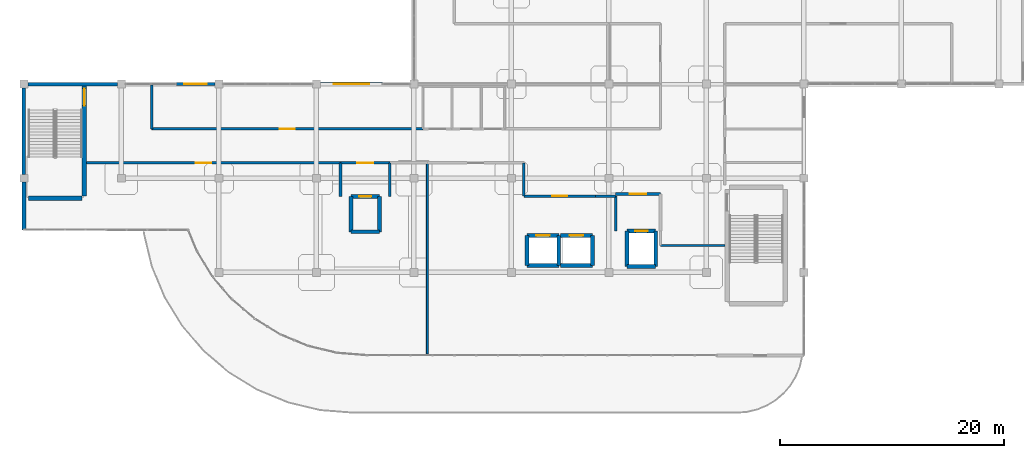
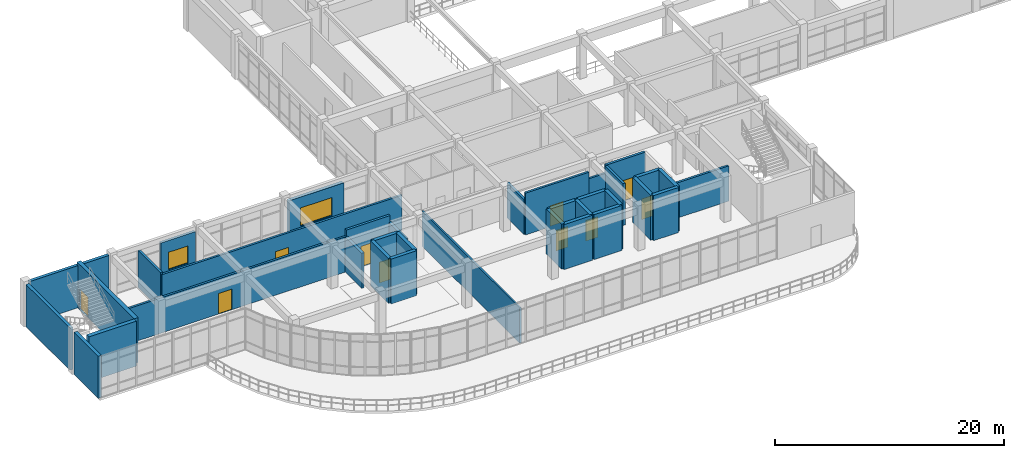
# One storey, part 54 of 64: 35 walls, 10 doors, 2 windows, 12 openings.
"""IFC4 building model written with IfcOpenShell, lengths in metres."""

from ifc_helpers import new_model, si_unit, derived_unit, direction, frame, frame_2d, origin, place, context, subcontext, project, spatial, rectangle, extrude, material, layer, layer_set, type_object, element, fill, save


model = new_model("IFC4")

# Units and contexts
model_context = context("Model", 3, precision=1e-05, world=origin(), true_north=direction((0.0, 1.0)))
body_context = subcontext(model_context, "Body", "Model", "MODEL_VIEW")
ifc_project = project(units=[si_unit("LENGTHUNIT", "METRE"), si_unit("AREAUNIT", "SQUARE_METRE"), si_unit("VOLUMEUNIT", "CUBIC_METRE"), si_unit("PLANEANGLEUNIT", "RADIAN"), si_unit("MASSUNIT", "GRAM", prefix="KILO"), derived_unit("THERMALTRANSMITTANCEUNIT", [(si_unit("MASSUNIT", "GRAM", prefix="KILO"), 1), (si_unit("TIMEUNIT", "SECOND"), -3), (si_unit("THERMODYNAMICTEMPERATUREUNIT", "KELVIN"), -1)])], contexts=[model_context])

# Site, building, storey
site_placement = place(None, origin())
site = spatial("IfcSite", under=ifc_project, at=site_placement, CompositionType="ELEMENT")
building_placement = place(site_placement, origin())
building = spatial("IfcBuilding", under=site, at=building_placement, Name="Qinzheling Arcade Emporium", CompositionType="ELEMENT")
storey_placement = place(building_placement, frame((0.0, 0.0, 31.5)))
storey = spatial("IfcBuildingStorey", under=building, at=storey_placement, Name="L07", CompositionType="ELEMENT", Elevation=31.5)

# Wall, opening, door
ifc_material_1 = material(Name="Double-stud acoustic gypsum board partition")
ifc_layer_1 = layer(ifc_material_1, 0.215087890625, Name="Double-stud acoustic gypsum board partition")
ifc_layer_set_1 = layer_set([ifc_layer_1], Name="Double-stud acoustic gypsum board partition")
wall_type_1 = type_object("IfcWallType", Name="Acoustic Corridor Partition Wall 215", PredefinedType="PARTITIONING", material=ifc_layer_set_1)
wall_1_placement = place(storey_placement, frame((44.60009765625, 32.0, 0.0), z_axis=(0.0, 0.0, 1.0), x_axis=(1.0, 0.0, 0.0)))
wall_1 = element("IfcWall", 1, at=wall_1_placement, inside=storey, type_object=wall_type_1, Name="Interior Wall WL-L07-INT-0888", PredefinedType="PARTITIONING", context=body_context, shape_type="SweptSolid", body=[
    extrude(rectangle(XDim=6.39990234375, YDim=0.215087890625, at=frame_2d((3.199951171875, 0.0))), origin(), (0.0, 0.0, 1.0), 4.4599609375),
])
opening_1_placement = place(wall_1_placement, frame((2.52490234375, 0.0, 0.0)))
opening_1 = element("IfcOpeningElement", 2, at=opening_1_placement, cuts=wall_1, Name="Opening FD05", PredefinedType="OPENING", context=body_context, shape_type="SweptSolid", body=[
    extrude(rectangle(XDim=1.35009765625, YDim=2.199951171875, at=frame_2d((0.675048828125, 1.10009765625))), frame((0.0, 0.11767578125, 0.0), z_axis=(0.0, -1.0, 0.0), x_axis=(1.0, 0.0, 0.0)), (0.0, 0.0, 1.0), 0.235107421875),
])
ifc_material_2 = material(Name="Class B fire-rated stainless-clad door")
door_type_1 = type_object("IfcDoorType", Name="Kitchen Fire-Rated Service Door 1350x2200", OperationType="NOTDEFINED", PredefinedType="DOOR", material=ifc_material_2)
door_1_placement = place(opening_1_placement, origin())
door_1 = element("IfcDoor", 3, at=door_1_placement, inside=storey, type_object=door_type_1, Name="FD05 Interior Door DR-L07-INT-0258", OperationType="SINGLE_SWING_LEFT", OverallHeight=2.199951171875, OverallWidth=1.35009765625, PredefinedType="DOOR", context=body_context, shape_type="SweptSolid", body=[
    extrude(rectangle(XDim=1.35009765625, YDim=2.199951171875, at=frame_2d((0.675048828125, 1.10009765625))), frame((0.0, 0.02490234375, 0.0), z_axis=(0.0, -1.0, 0.0), x_axis=(1.0, 0.0, 0.0)), (0.0, 0.0, 1.0), 0.050048828125),
])
fill(opening_1, door_1)

# Wall
wall_2_placement = place(storey_placement, frame((11.39990234375, 41.89990234375, 0.0), z_axis=(0.0, 0.0, 1.0), x_axis=(0.0, -1.0, 0.0)))
element("IfcWall", 4, at=wall_2_placement, inside=storey, type_object=wall_type_1, Name="Interior Wall WL-L07-INT-0919", PredefinedType="PARTITIONING", context=body_context, shape_type="SweptSolid", body=[
    extrude(rectangle(XDim=3.89990234375, YDim=0.215087890625, at=frame_2d((1.949951171875, 0.0))), origin(), (0.0, 0.0, 1.0), 3.9599609375),
])

# Wall, opening, door
wall_3_placement = place(storey_placement, frame((11.39990234375, 38.0, 0.0), z_axis=(0.0, 0.0, 1.0), x_axis=(1.0, 0.0, 0.0)))
wall_3 = element("IfcWall", 5, at=wall_3_placement, inside=storey, type_object=wall_type_1, Name="Interior Wall WL-L07-INT-0920", PredefinedType="PARTITIONING", context=body_context, shape_type="SweptSolid", body=[
    extrude(rectangle(XDim=24.2001953125, YDim=0.215087890625, at=frame_2d((12.10009765625, 0.0))), origin(), (0.0, 0.0, 1.0), 3.760009765625),
])
opening_2_placement = place(wall_3_placement, frame((11.425048828125, 0.0, 0.0)))
opening_2 = element("IfcOpeningElement", 6, at=opening_2_placement, cuts=wall_3, Name="Opening FD05", PredefinedType="OPENING", context=body_context, shape_type="SweptSolid", body=[
    extrude(rectangle(XDim=1.35009765625, YDim=2.199951171875, at=frame_2d((0.675048828125, 1.10009765625))), frame((0.0, 0.11767578125, 0.0), z_axis=(0.0, -1.0, 0.0), x_axis=(1.0, 0.0, 0.0)), (0.0, 0.0, 1.0), 0.235107421875),
])
door_2_placement = place(opening_2_placement, origin())
door_2 = element("IfcDoor", 7, at=door_2_placement, inside=storey, type_object=door_type_1, Name="FD05 Interior Door DR-L07-INT-0267", OperationType="SINGLE_SWING_RIGHT", OverallHeight=2.199951171875, OverallWidth=1.35009765625, PredefinedType="DOOR", context=body_context, shape_type="SweptSolid", body=[
    extrude(rectangle(XDim=1.35009765625, YDim=2.199951171875, at=frame_2d((0.675048828125, 1.10009765625))), frame((0.0, 0.02490234375, 0.0), z_axis=(0.0, -1.0, 0.0), x_axis=(1.0, 0.0, 0.0)), (0.0, 0.0, 1.0), 0.050048828125),
])
fill(opening_2, door_2)

wall_4_placement = place(storey_placement, frame((28.25, 34.97998046875, 0.0), z_axis=(0.0, 0.0, 1.0), x_axis=(-1.0, 0.0, 0.0)))
wall_4 = element("IfcWall", 8, at=wall_4_placement, inside=storey, type_object=wall_type_1, Name="Interior Wall WL-L07-INT-0923", PredefinedType="PARTITIONING", context=body_context, shape_type="SweptSolid", body=[
    extrude(rectangle(XDim=22.655029296875, YDim=0.215087890625, at=frame_2d((11.32763671875, 0.0))), origin(), (0.0, 0.0, 1.0), 3.760009765625),
])
opening_3_placement = place(wall_4_placement, frame((11.552978515625, 0.0, 0.0)))
opening_3 = element("IfcOpeningElement", 9, at=opening_3_placement, cuts=wall_4, Name="Opening FD05", PredefinedType="OPENING", context=body_context, shape_type="SweptSolid", body=[
    extrude(rectangle(XDim=1.35009765625, YDim=2.199951171875, at=frame_2d((0.675048828125, 1.10009765625))), frame((0.0, 0.11767578125, 0.0), z_axis=(0.0, -1.0, 0.0), x_axis=(1.0, 0.0, 0.0)), (0.0, 0.0, 1.0), 0.235107421875),
])
door_3_placement = place(opening_3_placement, origin())
door_3 = element("IfcDoor", 10, at=door_3_placement, inside=storey, type_object=door_type_1, Name="FD05 Interior Door DR-L07-INT-0268", OperationType="SINGLE_SWING_LEFT", OverallHeight=2.199951171875, OverallWidth=1.35009765625, PredefinedType="DOOR", context=body_context, shape_type="SweptSolid", body=[
    extrude(rectangle(XDim=1.35009765625, YDim=2.199951171875, at=frame_2d((0.675048828125, 1.10009765625))), frame((0.0, 0.02490234375, 0.0), z_axis=(0.0, -1.0, 0.0), x_axis=(1.0, 0.0, 0.0)), (0.0, 0.0, 1.0), 0.050048828125),
])
fill(opening_3, door_3)

# Walls
wall_5_placement = place(storey_placement, frame((44.60009765625, 32.0, 0.0), z_axis=(0.0, 0.0, 1.0), x_axis=(0.0, 1.0, 0.0)))
element("IfcWall", 11, at=wall_5_placement, inside=storey, type_object=wall_type_1, Name="Interior Wall WL-L07-INT-0925", PredefinedType="PARTITIONING", context=body_context, shape_type="SweptSolid", body=[
    extrude(rectangle(XDim=2.97998046875, YDim=0.215087890625, at=frame_2d((1.489990234375, 0.0))), origin(), (0.0, 0.0, 1.0), 3.760009765625),
])
wall_6_placement = place(storey_placement, frame((52.800048828125, 32.0, 0.0), z_axis=(0.0, 0.0, 1.0), x_axis=(-1.0, 0.0, 0.0)))
element("IfcWall", 12, at=wall_6_placement, inside=storey, type_object=wall_type_1, Name="Interior Wall WL-L07-INT-0927", PredefinedType="PARTITIONING", context=body_context, shape_type="SweptSolid", body=[
    extrude(rectangle(XDim=1.800048828125, YDim=0.215087890625, at=frame_2d((0.89990234375, 0.0))), origin(), (0.0, 0.0, 1.0), 3.760009765625),
])
wall_7_placement = place(storey_placement, frame((62.544921875, 27.60009765625, 0.0), z_axis=(0.0, 0.0, 1.0), x_axis=(-1.0, 0.0, 0.0)))
element("IfcWall", 13, at=wall_7_placement, inside=storey, type_object=wall_type_1, Name="Interior Wall WL-L07-INT-0928", PredefinedType="PARTITIONING", context=body_context, shape_type="SweptSolid", body=[
    extrude(rectangle(XDim=5.744873046875, YDim=0.215087890625, at=frame_2d((2.87255859375, 0.0))), origin(), (0.0, 0.0, 1.0), 3.760009765625),
])

# Wall, opening, window
ifc_material_3 = material(Name="Insulated aluminium-clad spandrel wall", Category="aluminium")
ifc_layer_2 = layer(ifc_material_3, 0.260009765625, Name="Insulated aluminium-clad spandrel wall", Category="aluminium")
ifc_layer_set_2 = layer_set([ifc_layer_2], Name="Insulated aluminium-clad spandrel wall")
wall_type_2 = type_object("IfcWallType", Name="Arcade Clerestory Spandrel Wall 260", PredefinedType="STANDARD", material=ifc_layer_set_2)
wall_8_placement = place(storey_placement, frame((13.60009765625, 42.0, 0.0), z_axis=(0.0, 0.0, 1.0), x_axis=(1.0, 0.0, 0.0)))
wall_8 = element("IfcWall", 14, at=wall_8_placement, inside=storey, type_object=wall_type_2, Name="Exterior Wall WL-L07-EW-0333", PredefinedType="STANDARD", context=body_context, shape_type="SweptSolid", body=[
    extrude(rectangle(XDim=3.447998046875, YDim=0.260009765625, at=frame_2d((1.72412109375, 0.0))), origin(), (0.0, 0.0, 1.0), 3.955078125),
])
opening_4_placement = place(wall_8_placement, frame((0.72412109375, 0.0, 0.85009765625)))
opening_4 = element("IfcOpeningElement", 15, at=opening_4_placement, cuts=wall_8, Name="Opening WN60", PredefinedType="OPENING", context=body_context, shape_type="SweptSolid", body=[
    extrude(rectangle(XDim=2.0, YDim=1.85009765625, at=frame_2d((1.0, 0.925048828125))), frame((0.0, 0.14013671875, 0.0), z_axis=(0.0, -1.0, 0.0), x_axis=(1.0, 0.0, 0.0)), (0.0, 0.0, 1.0), 0.280029296875),
])
ifc_material_4 = material(Name="Thermally broken aluminium frame with solar-control double glazing", Category="aluminium")
window_type_1 = type_object("IfcWindowType", Name="Chicago Tripartite Window 2000x1850", PartitioningType="TRIPLE_PANEL_VERTICAL", PredefinedType="WINDOW", material=ifc_material_4)
window_1_placement = place(opening_4_placement, origin())
window_1 = element("IfcWindow", 16, at=window_1_placement, inside=storey, type_object=window_type_1, Name="WN60 Window WN-L07-0081", OverallHeight=1.85009765625, OverallWidth=2.0, PartitioningType="TRIPLE_PANEL_VERTICAL", PredefinedType="WINDOW", context=body_context, shape_type="SweptSolid", body=[
    extrude(rectangle(XDim=2.0, YDim=1.85009765625, at=frame_2d((1.0, 0.925048828125))), frame((0.0, 0.030029296875, 0.0), z_axis=(0.0, -1.0, 0.0), x_axis=(1.0, 0.0, 0.0)), (0.0, 0.0, 1.0), 0.06005859375),
])
fill(opening_4, window_1)

# Wall
ifc_material_5 = material(Name="Celadon glazed terracotta insulated spandrel", Category="masonry")
ifc_layer_3 = layer(ifc_material_5, 0.340087890625, Name="Celadon glazed terracotta insulated spandrel", Category="masonry")
ifc_layer_set_3 = layer_set([ifc_layer_3], Name="Celadon glazed terracotta insulated spandrel")
wall_type_3 = type_object("IfcWallType", Name="Celadon Spandrel Infill Wall 340", PredefinedType="STANDARD", material=ifc_layer_set_3)
wall_9_placement = place(storey_placement, frame((0.0, 29.0, 0.0), z_axis=(0.0, 0.0, 1.0), x_axis=(0.0, 1.0, 0.0)))
element("IfcWall", 17, at=wall_9_placement, inside=storey, type_object=wall_type_3, Name="Exterior Wall WL-L07-EW-0330", PredefinedType="STANDARD", context=body_context, shape_type="SweptSolid", body=[
    extrude(rectangle(XDim=4.248046875, YDim=0.340087890625, at=frame_2d((2.1240234375, 0.0))), origin(), (0.0, 0.0, 1.0), 4.489990234375),
])

# Wall, opening, window
wall_10_placement = place(storey_placement, frame((26.451904296875, 42.0, 0.0), z_axis=(0.0, 0.0, 1.0), x_axis=(1.0, 0.0, 0.0)))
wall_10 = element("IfcWall", 18, at=wall_10_placement, inside=storey, type_object=wall_type_3, Name="Exterior Wall WL-L07-EW-0334", PredefinedType="STANDARD", context=body_context, shape_type="SweptSolid", body=[
    extrude(rectangle(XDim=5.548095703125, YDim=0.340087890625, at=frame_2d((2.77392578125, 0.0))), origin(), (0.0, 0.0, 1.0), 3.955078125),
])
opening_5_placement = place(wall_10_placement, frame((1.174072265625, 0.0, 0.85009765625)))
opening_5 = element("IfcOpeningElement", 19, at=opening_5_placement, cuts=wall_10, Name="Opening WN37", PredefinedType="OPENING", context=body_context, shape_type="SweptSolid", body=[
    extrude(rectangle(XDim=3.199951171875, YDim=1.949951171875, at=frame_2d((1.60009765625, 0.97509765625))), frame((0.0, 0.18017578125, 0.0), z_axis=(0.0, -1.0, 0.0), x_axis=(1.0, 0.0, 0.0)), (0.0, 0.0, 1.0), 0.360107421875),
])
window_type_2 = type_object("IfcWindowType", Name="Chicago Tripartite Window 3200x1950", PartitioningType="TRIPLE_PANEL_VERTICAL", PredefinedType="WINDOW", material=ifc_material_4)
window_2_placement = place(opening_5_placement, origin())
window_2 = element("IfcWindow", 20, at=window_2_placement, inside=storey, type_object=window_type_2, Name="WN37 Window WN-L07-0082", OverallHeight=1.949951171875, OverallWidth=3.199951171875, PartitioningType="TRIPLE_PANEL_VERTICAL", PredefinedType="WINDOW", context=body_context, shape_type="SweptSolid", body=[
    extrude(rectangle(XDim=3.199951171875, YDim=1.949951171875, at=frame_2d((1.60009765625, 0.97509765625))), frame((0.0, 0.030029296875, 0.0), z_axis=(0.0, -1.0, 0.0), x_axis=(1.0, 0.0, 0.0)), (0.0, 0.0, 1.0), 0.06005859375),
])
fill(opening_5, window_2)

# Wall
ifc_material_6 = material(Name="Glazed cream terracotta insulated wall", Category="masonry")
ifc_layer_4 = layer(ifc_material_6, 0.320068359375, Name="Glazed cream terracotta insulated wall", Category="masonry")
ifc_layer_set_4 = layer_set([ifc_layer_4], Name="Glazed cream terracotta insulated wall")
wall_type_4 = type_object("IfcWallType", Name="Chicago Frame Infill Wall 320", PredefinedType="STANDARD", material=ifc_layer_set_4)
wall_11_placement = place(storey_placement, frame((0.0, 33.951904296875, 0.0), z_axis=(0.0, 0.0, 1.0), x_axis=(0.0, 1.0, 0.0)))
element("IfcWall", 21, at=wall_11_placement, inside=storey, type_object=wall_type_4, Name="Exterior Wall WL-L07-EW-0331", PredefinedType="STANDARD", context=body_context, shape_type="SweptSolid", body=[
    extrude(rectangle(XDim=7.696044921875, YDim=0.320068359375, at=frame_2d((3.84814453125, 0.0))), origin(), (0.0, 0.0, 1.0), 4.489990234375),
])

# Wall, opening, door
ifc_material_7 = material(Name="Fire-rated double-stud gypsum and mineral wool wall")
ifc_layer_5 = layer(ifc_material_7, 0.2451171875, Name="Fire-rated double-stud gypsum and mineral wool wall")
ifc_layer_set_5 = layer_set([ifc_layer_5], Name="Fire-rated double-stud gypsum and mineral wool wall")
wall_type_5 = type_object("IfcWallType", Name="Firefighting Lobby Rated Wall 245", PredefinedType="STANDARD", material=ifc_layer_set_5)
wall_12_placement = place(storey_placement, frame((52.800048828125, 32.199951171875, 0.0), z_axis=(0.0, 0.0, 1.0), x_axis=(1.0, 0.0, 0.0)))
wall_12 = element("IfcWall", 22, at=wall_12_placement, inside=storey, type_object=wall_type_5, Name="Interior Wall WL-L07-INT-0879", PredefinedType="STANDARD", context=body_context, shape_type="SweptSolid", body=[
    extrude(rectangle(XDim=4.0, YDim=0.2451171875, at=frame_2d((2.0, 0.0))), origin(), (0.0, 0.0, 1.0), 4.4599609375),
])
opening_6_placement = place(wall_12_placement, frame((1.27490234375, 0.0, 0.0)))
opening_6 = element("IfcOpeningElement", 23, at=opening_6_placement, cuts=wall_12, Name="Opening FD02", PredefinedType="OPENING", context=body_context, shape_type="SweptSolid", body=[
    extrude(rectangle(XDim=1.449951171875, YDim=2.199951171875, at=frame_2d((0.72509765625, 1.10009765625))), frame((0.0, 0.132568359375, 0.0), z_axis=(0.0, -1.0, 0.0), x_axis=(1.0, 0.0, 0.0)), (0.0, 0.0, 1.0), 0.26513671875),
])
ifc_material_8 = material(Name="Class A fire-rated steel double door", Category="steel")
door_type_2 = type_object("IfcDoorType", Name="Firefighting Lobby Fire Door 1450x2200", OperationType="DOUBLE_DOOR_SINGLE_SWING", PredefinedType="DOOR", material=ifc_material_8)
door_4_placement = place(opening_6_placement, origin())
door_4 = element("IfcDoor", 24, at=door_4_placement, inside=storey, type_object=door_type_2, Name="FD02 Interior Door DR-L07-INT-0255", OperationType="DOUBLE_DOOR_SINGLE_SWING", OverallHeight=2.199951171875, OverallWidth=1.449951171875, PredefinedType="DOOR", context=body_context, shape_type="SweptSolid", body=[
    extrude(rectangle(XDim=1.449951171875, YDim=2.199951171875, at=frame_2d((0.72509765625, 1.10009765625))), frame((0.0, 0.02490234375, 0.0), z_axis=(0.0, -1.0, 0.0), x_axis=(1.0, 0.0, 0.0)), (0.0, 0.0, 1.0), 0.050048828125),
])
fill(opening_6, door_4)

# Wall
wall_13_placement = place(storey_placement, frame((52.800048828125, 28.8798828125, 0.0), z_axis=(0.0, 0.0, 1.0), x_axis=(0.0, 1.0, 0.0)))
element("IfcWall", 25, at=wall_13_placement, inside=storey, type_object=wall_type_5, Name="Interior Wall WL-L07-INT-0881", PredefinedType="STANDARD", context=body_context, shape_type="SweptSolid", body=[
    extrude(rectangle(XDim=3.1201171875, YDim=0.2451171875, at=frame_2d((1.56005859375, 0.0))), origin(), (0.0, 0.0, 1.0), 4.4599609375),
])

# Wall, opening, door
wall_14_placement = place(storey_placement, frame((28.25, 34.97998046875, 0.0), z_axis=(0.0, 0.0, 1.0), x_axis=(1.0, 0.0, 0.0)))
wall_14 = element("IfcWall", 26, at=wall_14_placement, inside=storey, type_object=wall_type_5, Name="Interior Wall WL-L07-INT-0882", PredefinedType="STANDARD", context=body_context, shape_type="SweptSolid", body=[
    extrude(rectangle(XDim=4.39990234375, YDim=0.2451171875, at=frame_2d((2.199951171875, 0.0))), origin(), (0.0, 0.0, 1.0), 4.4599609375),
])
opening_7_placement = place(wall_14_placement, frame((1.47509765625, 0.0, 0.0)))
opening_7 = element("IfcOpeningElement", 27, at=opening_7_placement, cuts=wall_14, Name="Opening FD02", PredefinedType="OPENING", context=body_context, shape_type="SweptSolid", body=[
    extrude(rectangle(XDim=1.449951171875, YDim=2.199951171875, at=frame_2d((0.72509765625, 1.10009765625))), frame((0.0, 0.132568359375, 0.0), z_axis=(0.0, -1.0, 0.0), x_axis=(1.0, 0.0, 0.0)), (0.0, 0.0, 1.0), 0.26513671875),
])
door_5_placement = place(opening_7_placement, origin())
door_5 = element("IfcDoor", 28, at=door_5_placement, inside=storey, type_object=door_type_2, Name="FD02 Interior Door DR-L07-INT-0256", OperationType="DOUBLE_DOOR_SINGLE_SWING", OverallHeight=2.199951171875, OverallWidth=1.449951171875, PredefinedType="DOOR", context=body_context, shape_type="SweptSolid", body=[
    extrude(rectangle(XDim=1.449951171875, YDim=2.199951171875, at=frame_2d((0.72509765625, 1.10009765625))), frame((0.0, 0.02490234375, 0.0), z_axis=(0.0, -1.0, 0.0), x_axis=(1.0, 0.0, 0.0)), (0.0, 0.0, 1.0), 0.050048828125),
])
fill(opening_7, door_5)

# Walls
for number, where, z_axis, x_axis, name in (
    (29, (28.25, 31.97998046875, 0.0), (0.0, 0.0, 1.0), (0.0, 1.0, 0.0), "Interior Wall WL-L07-INT-0883"),
    (30, (32.64990234375, 34.97998046875, 0.0), (0.0, 0.0, 1.0), (0.0, -1.0, 0.0), "Interior Wall WL-L07-INT-0884"),
):
    element("IfcWall", number, at=place(storey_placement, frame(where, z_axis=z_axis, x_axis=x_axis)), inside=storey, type_object=wall_type_5, Name=name, PredefinedType="STANDARD", context=body_context, shape_type="SweptSolid", body=[
        extrude(rectangle(XDim=3.0, YDim=0.2451171875, at=frame_2d((1.5, 0.0))), origin(), (0.0, 0.0, 1.0), 3.760009765625),
    ])

# Wall, opening, door
ifc_material_9 = material(Name="Concrete C40", Category="concrete")
ifc_layer_6 = layer(ifc_material_9, 0.35009765625, Name="Concrete C40", Category="concrete")
ifc_layer_set_6 = layer_set([ifc_layer_6], Name="Concrete C40")
wall_type_6 = type_object("IfcWallType", Name="RC Lift Shaft Shear Wall 350 C40", PredefinedType="SHEAR", material=ifc_layer_set_6)
wall_15_placement = place(storey_placement, frame((53.824951171875, 28.875, 0.0), z_axis=(0.0, 0.0, 1.0), x_axis=(1.0, 0.0, 0.0)))
wall_15 = element("IfcWall", 31, at=wall_15_placement, inside=storey, type_object=wall_type_6, Name="Lift Shaft Wall WL-L07-LFT-LF01-N", PredefinedType="SHEAR", context=body_context, shape_type="SweptSolid", body=[
    extrude(rectangle(XDim=2.550048828125, YDim=0.35009765625, at=frame_2d((1.27490234375, 0.0))), origin(), (0.0, 0.0, 1.0), 4.800048828125),
])
opening_8_placement = place(wall_15_placement, frame((0.72509765625, 0.0, 0.0)))
opening_8 = element("IfcOpeningElement", 32, at=opening_8_placement, cuts=wall_15, Name="Opening LD01", PredefinedType="OPENING", context=body_context, shape_type="SweptSolid", body=[
    extrude(rectangle(XDim=1.10009765625, YDim=2.199951171875, at=frame_2d((0.550048828125, 1.10009765625))), frame((0.0, 0.18505859375, 0.0), z_axis=(0.0, -1.0, 0.0), x_axis=(1.0, 0.0, 0.0)), (0.0, 0.0, 1.0), 0.3701171875),
])
ifc_material_10 = material(Name="Fire-rated stainless steel sliding lift door", Category="steel")
door_type_3 = type_object("IfcDoorType", Name="Firefighting Lift Sliding Landing Door 1100x2200", OperationType="DOUBLE_DOOR_SLIDING", PredefinedType="DOOR", material=ifc_material_10)
door_6_placement = place(opening_8_placement, origin())
door_6 = element("IfcDoor", 33, at=door_6_placement, inside=storey, type_object=door_type_3, Name="LD01 Lift Landing Door LF01 L07", OperationType="DOUBLE_DOOR_SLIDING", OverallHeight=2.199951171875, OverallWidth=1.10009765625, PredefinedType="DOOR", context=body_context, shape_type="SweptSolid", body=[
    extrude(rectangle(XDim=1.10009765625, YDim=2.199951171875, at=frame_2d((0.550048828125, 1.10009765625))), frame((0.0, 0.02490234375, 0.0), z_axis=(0.0, -1.0, 0.0), x_axis=(1.0, 0.0, 0.0)), (0.0, 0.0, 1.0), 0.050048828125),
])
fill(opening_8, door_6)

# Walls
wall_16_placement = place(storey_placement, frame((56.375, 25.72509765625, 0.0), z_axis=(0.0, 0.0, 1.0), x_axis=(-1.0, 0.0, 0.0)))
element("IfcWall", 34, at=wall_16_placement, inside=storey, type_object=wall_type_6, Name="Lift Shaft Wall WL-L07-LFT-LF01-S", PredefinedType="SHEAR", context=body_context, shape_type="SweptSolid", body=[
    extrude(rectangle(XDim=2.550048828125, YDim=0.35009765625, at=frame_2d((1.27490234375, 0.0))), origin(), (0.0, 0.0, 1.0), 4.800048828125),
])
for number, where, z_axis, x_axis, name in (
    (35, (53.824951171875, 25.72509765625, 0.0), (0.0, 0.0, 1.0), (0.0, 1.0, 0.0), "Lift Shaft Wall WL-L07-LFT-LF01-W"),
    (36, (56.375, 28.875, 0.0), (0.0, 0.0, 1.0), (0.0, -1.0, 0.0), "Lift Shaft Wall WL-L07-LFT-LF01-E"),
):
    element("IfcWall", number, at=place(storey_placement, frame(where, z_axis=z_axis, x_axis=x_axis)), inside=storey, type_object=wall_type_6, Name=name, PredefinedType="SHEAR", context=body_context, shape_type="SweptSolid", body=[
        extrude(rectangle(XDim=3.14990234375, YDim=0.35009765625, at=frame_2d((1.574951171875, 0.0))), origin(), (0.0, 0.0, 1.0), 4.800048828125),
    ])

# Wall, opening, door
wall_17_placement = place(storey_placement, frame((29.175048828125, 31.97509765625, 0.0), z_axis=(0.0, 0.0, 1.0), x_axis=(1.0, 0.0, 0.0)))
wall_17 = element("IfcWall", 37, at=wall_17_placement, inside=storey, type_object=wall_type_6, Name="Lift Shaft Wall WL-L07-LFT-LF02-N", PredefinedType="SHEAR", context=body_context, shape_type="SweptSolid", body=[
    extrude(rectangle(XDim=2.550048828125, YDim=0.35009765625, at=frame_2d((1.27490234375, 0.0))), origin(), (0.0, 0.0, 1.0), 4.800048828125),
])
opening_9_placement = place(wall_17_placement, frame((0.72509765625, 0.0, 0.0)))
opening_9 = element("IfcOpeningElement", 38, at=opening_9_placement, cuts=wall_17, Name="Opening LD01", PredefinedType="OPENING", context=body_context, shape_type="SweptSolid", body=[
    extrude(rectangle(XDim=1.10009765625, YDim=2.199951171875, at=frame_2d((0.550048828125, 1.10009765625))), frame((0.0, 0.18505859375, 0.0), z_axis=(0.0, -1.0, 0.0), x_axis=(1.0, 0.0, 0.0)), (0.0, 0.0, 1.0), 0.3701171875),
])
door_7_placement = place(opening_9_placement, origin())
door_7 = element("IfcDoor", 39, at=door_7_placement, inside=storey, type_object=door_type_3, Name="LD01 Lift Landing Door LF02 L07", OperationType="DOUBLE_DOOR_SLIDING", OverallHeight=2.199951171875, OverallWidth=1.10009765625, PredefinedType="DOOR", context=body_context, shape_type="SweptSolid", body=[
    extrude(rectangle(XDim=1.10009765625, YDim=2.199951171875, at=frame_2d((0.550048828125, 1.10009765625))), frame((0.0, 0.02490234375, 0.0), z_axis=(0.0, -1.0, 0.0), x_axis=(1.0, 0.0, 0.0)), (0.0, 0.0, 1.0), 0.050048828125),
])
fill(opening_9, door_7)

# Walls
wall_18_placement = place(storey_placement, frame((31.72509765625, 28.824951171875, 0.0), z_axis=(0.0, 0.0, 1.0), x_axis=(-1.0, 0.0, 0.0)))
element("IfcWall", 40, at=wall_18_placement, inside=storey, type_object=wall_type_6, Name="Lift Shaft Wall WL-L07-LFT-LF02-S", PredefinedType="SHEAR", context=body_context, shape_type="SweptSolid", body=[
    extrude(rectangle(XDim=2.550048828125, YDim=0.35009765625, at=frame_2d((1.27490234375, 0.0))), origin(), (0.0, 0.0, 1.0), 4.800048828125),
])
for number, where, z_axis, x_axis, name in (
    (41, (29.175048828125, 28.824951171875, 0.0), (0.0, 0.0, 1.0), (0.0, 1.0, 0.0), "Lift Shaft Wall WL-L07-LFT-LF02-W"),
    (42, (31.72509765625, 31.97509765625, 0.0), (0.0, 0.0, 1.0), (0.0, -1.0, 0.0), "Lift Shaft Wall WL-L07-LFT-LF02-E"),
):
    element("IfcWall", number, at=place(storey_placement, frame(where, z_axis=z_axis, x_axis=x_axis)), inside=storey, type_object=wall_type_6, Name=name, PredefinedType="SHEAR", context=body_context, shape_type="SweptSolid", body=[
        extrude(rectangle(XDim=3.150146484375, YDim=0.35009765625, at=frame_2d((1.5751953125, 0.0))), origin(), (0.0, 0.0, 1.0), 4.800048828125),
    ])

# Wall, opening, door
wall_19_placement = place(storey_placement, frame((44.875, 28.47509765625, 0.0), z_axis=(0.0, 0.0, 1.0), x_axis=(1.0, 0.0, 0.0)))
wall_19 = element("IfcWall", 43, at=wall_19_placement, inside=storey, type_object=wall_type_6, Name="Lift Shaft Wall WL-L07-LFT-LP01-N", PredefinedType="SHEAR", context=body_context, shape_type="SweptSolid", body=[
    extrude(rectangle(XDim=2.85009765625, YDim=0.35009765625, at=frame_2d((1.425048828125, 0.0))), origin(), (0.0, 0.0, 1.0), 4.800048828125),
])
opening_10_placement = place(wall_19_placement, frame((0.824951171875, 0.0, 0.0)))
opening_10 = element("IfcOpeningElement", 44, at=opening_10_placement, cuts=wall_19, Name="Opening LD02", PredefinedType="OPENING", context=body_context, shape_type="SweptSolid", body=[
    extrude(rectangle(XDim=1.199951171875, YDim=2.199951171875, at=frame_2d((0.60009765625, 1.10009765625))), frame((0.0, 0.18505859375, 0.0), z_axis=(0.0, -1.0, 0.0), x_axis=(1.0, 0.0, 0.0)), (0.0, 0.0, 1.0), 0.3701171875),
])
ifc_material_11 = material(Name="Brushed bronze stainless sliding lift door")
door_type_4 = type_object("IfcDoorType", Name="Passenger Lift Sliding Landing Door 1200x2200", OperationType="DOUBLE_DOOR_SLIDING", PredefinedType="DOOR", material=ifc_material_11)
door_8_placement = place(opening_10_placement, origin())
door_8 = element("IfcDoor", 45, at=door_8_placement, inside=storey, type_object=door_type_4, Name="LD02 Lift Landing Door LP01 L07", OperationType="DOUBLE_DOOR_SLIDING", OverallHeight=2.199951171875, OverallWidth=1.199951171875, PredefinedType="DOOR", context=body_context, shape_type="SweptSolid", body=[
    extrude(rectangle(XDim=1.199951171875, YDim=2.199951171875, at=frame_2d((0.60009765625, 1.10009765625))), frame((0.0, 0.02490234375, 0.0), z_axis=(0.0, -1.0, 0.0), x_axis=(1.0, 0.0, 0.0)), (0.0, 0.0, 1.0), 0.050048828125),
])
fill(opening_10, door_8)

# Walls
wall_20_placement = place(storey_placement, frame((47.72509765625, 25.824951171875, 0.0), z_axis=(0.0, 0.0, 1.0), x_axis=(-1.0, 0.0, 0.0)))
element("IfcWall", 46, at=wall_20_placement, inside=storey, type_object=wall_type_6, Name="Lift Shaft Wall WL-L07-LFT-LP01-S", PredefinedType="SHEAR", context=body_context, shape_type="SweptSolid", body=[
    extrude(rectangle(XDim=2.85009765625, YDim=0.35009765625, at=frame_2d((1.425048828125, 0.0))), origin(), (0.0, 0.0, 1.0), 4.800048828125),
])
for number, where, z_axis, x_axis, name in (
    (47, (44.875, 25.824951171875, 0.0), (0.0, 0.0, 1.0), (0.0, 1.0, 0.0), "Lift Shaft Wall WL-L07-LFT-LP01-W"),
    (48, (47.72509765625, 28.47509765625, 0.0), (0.0, 0.0, 1.0), (0.0, -1.0, 0.0), "Lift Shaft Wall WL-L07-LFT-LP01-E"),
):
    element("IfcWall", number, at=place(storey_placement, frame(where, z_axis=z_axis, x_axis=x_axis)), inside=storey, type_object=wall_type_6, Name=name, PredefinedType="SHEAR", context=body_context, shape_type="SweptSolid", body=[
        extrude(rectangle(XDim=2.650146484375, YDim=0.35009765625, at=frame_2d((1.3251953125, 0.0))), origin(), (0.0, 0.0, 1.0), 4.800048828125),
    ])

# Wall, opening, door
wall_21_placement = place(storey_placement, frame((47.875, 28.47509765625, 0.0), z_axis=(0.0, 0.0, 1.0), x_axis=(1.0, 0.0, 0.0)))
wall_21 = element("IfcWall", 49, at=wall_21_placement, inside=storey, type_object=wall_type_6, Name="Lift Shaft Wall WL-L07-LFT-LP02-N", PredefinedType="SHEAR", context=body_context, shape_type="SweptSolid", body=[
    extrude(rectangle(XDim=2.85009765625, YDim=0.35009765625, at=frame_2d((1.425048828125, 0.0))), origin(), (0.0, 0.0, 1.0), 4.800048828125),
])
opening_11_placement = place(wall_21_placement, frame((0.824951171875, 0.0, 0.0)))
opening_11 = element("IfcOpeningElement", 50, at=opening_11_placement, cuts=wall_21, Name="Opening LD02", PredefinedType="OPENING", context=body_context, shape_type="SweptSolid", body=[
    extrude(rectangle(XDim=1.199951171875, YDim=2.199951171875, at=frame_2d((0.60009765625, 1.10009765625))), frame((0.0, 0.18505859375, 0.0), z_axis=(0.0, -1.0, 0.0), x_axis=(1.0, 0.0, 0.0)), (0.0, 0.0, 1.0), 0.3701171875),
])
door_9_placement = place(opening_11_placement, origin())
door_9 = element("IfcDoor", 51, at=door_9_placement, inside=storey, type_object=door_type_4, Name="LD02 Lift Landing Door LP02 L07", OperationType="DOUBLE_DOOR_SLIDING", OverallHeight=2.199951171875, OverallWidth=1.199951171875, PredefinedType="DOOR", context=body_context, shape_type="SweptSolid", body=[
    extrude(rectangle(XDim=1.199951171875, YDim=2.199951171875, at=frame_2d((0.60009765625, 1.10009765625))), frame((0.0, 0.02490234375, 0.0), z_axis=(0.0, -1.0, 0.0), x_axis=(1.0, 0.0, 0.0)), (0.0, 0.0, 1.0), 0.050048828125),
])
fill(opening_11, door_9)

# Walls
wall_22_placement = place(storey_placement, frame((50.72509765625, 25.824951171875, 0.0), z_axis=(0.0, 0.0, 1.0), x_axis=(-1.0, 0.0, 0.0)))
element("IfcWall", 52, at=wall_22_placement, inside=storey, type_object=wall_type_6, Name="Lift Shaft Wall WL-L07-LFT-LP02-S", PredefinedType="SHEAR", context=body_context, shape_type="SweptSolid", body=[
    extrude(rectangle(XDim=2.85009765625, YDim=0.35009765625, at=frame_2d((1.425048828125, 0.0))), origin(), (0.0, 0.0, 1.0), 4.800048828125),
])
wall_23_placement = place(storey_placement, frame((50.72509765625, 28.47509765625, 0.0), z_axis=(0.0, 0.0, 1.0), x_axis=(0.0, -1.0, 0.0)))
element("IfcWall", 53, at=wall_23_placement, inside=storey, type_object=wall_type_6, Name="Lift Shaft Wall WL-L07-LFT-LP02-E", PredefinedType="SHEAR", context=body_context, shape_type="SweptSolid", body=[
    extrude(rectangle(XDim=2.650146484375, YDim=0.35009765625, at=frame_2d((1.3251953125, 0.0))), origin(), (0.0, 0.0, 1.0), 4.800048828125),
])

# Wall, opening, door
ifc_material_12 = material(Name="Concrete C50", Category="concrete")
ifc_layer_7 = layer(ifc_material_12, 0.39990234375, Name="Concrete C50", Category="concrete")
ifc_layer_set_7 = layer_set([ifc_layer_7], Name="Concrete C50")
wall_type_7 = type_object("IfcWallType", Name="RC Stair Core Shear Wall 400 C50", PredefinedType="SHEAR", material=ifc_layer_set_7)
wall_24_placement = place(storey_placement, frame((5.389892578125, 42.0, 0.0), z_axis=(0.0, 0.0, 1.0), x_axis=(0.0, -1.0, 0.0)))
wall_24 = element("IfcWall", 54, at=wall_24_placement, inside=storey, type_object=wall_type_7, Name="Stair Core Wall WL-L07-ST02-EAST", PredefinedType="SHEAR", context=body_context, shape_type="SweptSolid", body=[
    extrude(rectangle(XDim=10.0, YDim=0.39990234375, at=frame_2d((5.0, 0.0))), origin(), (0.0, 0.0, 1.0), 4.800048828125),
])
opening_12_placement = place(wall_24_placement, frame((0.409912109375, 0.0, 0.0)))
opening_12 = element("IfcOpeningElement", 55, at=opening_12_placement, cuts=wall_24, Name="Opening FD01", PredefinedType="OPENING", context=body_context, shape_type="SweptSolid", body=[
    extrude(rectangle(XDim=1.5, YDim=2.199951171875, at=frame_2d((0.75, 1.10009765625))), frame((0.0, 0.2099609375, 0.0), z_axis=(0.0, -1.0, 0.0), x_axis=(1.0, 0.0, 0.0)), (0.0, 0.0, 1.0), 0.419921875),
])
door_type_5 = type_object("IfcDoorType", Name="Stairwell Smoke-Proof Fire Door 1500x2200", OperationType="DOUBLE_DOOR_SINGLE_SWING", PredefinedType="DOOR", material=ifc_material_8)
door_10_placement = place(opening_12_placement, origin())
door_10 = element("IfcDoor", 56, at=door_10_placement, inside=storey, type_object=door_type_5, Name="FD01 Stairwell Fire Door DR-L07-ST02-FD", OperationType="DOUBLE_DOOR_SINGLE_SWING", OverallHeight=2.199951171875, OverallWidth=1.5, PredefinedType="DOOR", context=body_context, shape_type="SweptSolid", body=[
    extrude(rectangle(XDim=1.5, YDim=2.199951171875, at=frame_2d((0.75, 1.10009765625))), frame((0.0, 0.02490234375, 0.0), z_axis=(0.0, -1.0, 0.0), x_axis=(1.0, 0.0, 0.0)), (0.0, 0.0, 1.0), 0.050048828125),
])
fill(opening_12, door_10)

# Walls
wall_25_placement = place(storey_placement, frame((5.18994140625, 31.800048828125, 0.0), z_axis=(0.0, 0.0, 1.0), x_axis=(-1.0, 0.0, 0.0)))
element("IfcWall", 57, at=wall_25_placement, inside=storey, type_object=wall_type_7, Name="Stair Core Wall WL-L07-ST02-SOUTH", PredefinedType="SHEAR", context=body_context, shape_type="SweptSolid", body=[
    extrude(rectangle(XDim=4.7900390625, YDim=0.39990234375, at=frame_2d((2.39501953125, 0.0))), origin(), (0.0, 0.0, 1.0), 4.800048828125),
])
ifc_material_13 = material(Name="Double-board salon partition")
ifc_layer_8 = layer(ifc_material_13, 0.175048828125, Name="Double-board salon partition")
ifc_layer_set_8 = layer_set([ifc_layer_8], Name="Double-board salon partition")
wall_type_8 = type_object("IfcWallType", Name="Salon Acoustic Partition Wall 175", PredefinedType="PARTITIONING", material=ifc_layer_set_8)
wall_26_placement = place(storey_placement, frame((36.0, 34.97998046875, 0.0), z_axis=(0.0, 0.0, 1.0), x_axis=(0.0, -1.0, 0.0)))
element("IfcWall", 58, at=wall_26_placement, inside=storey, type_object=wall_type_8, Name="Interior Wall WL-L07-INT-0961", PredefinedType="PARTITIONING", context=body_context, shape_type="SweptSolid", body=[
    extrude(rectangle(XDim=17.080078125, YDim=0.175048828125, at=frame_2d((8.5400390625, 0.0))), origin(), (0.0, 0.0, 1.0), 3.760009765625),
])
ifc_layer_9 = layer(ifc_material_6, 0.300048828125, Name="Glazed cream terracotta insulated wall", Category="masonry")
ifc_layer_set_9 = layer_set([ifc_layer_9], Name="Glazed cream terracotta insulated wall")
wall_type_9 = type_object("IfcWallType", Name="Terrace Facade Infill Wall 300", PredefinedType="STANDARD", material=ifc_layer_set_9)
wall_27_placement = place(storey_placement, frame((0.35205078125, 42.0, 0.0), z_axis=(0.0, 0.0, 1.0), x_axis=(1.0, 0.0, 0.0)))
element("IfcWall", 59, at=wall_27_placement, inside=storey, type_object=wall_type_9, Name="Exterior Wall WL-L07-EW-0332", PredefinedType="STANDARD", context=body_context, shape_type="SweptSolid", body=[
    extrude(rectangle(XDim=7.995849609375, YDim=0.300048828125, at=frame_2d((3.998046875, 0.0))), origin(), (0.0, 0.0, 1.0), 4.489990234375),
])

save(model, "model.ifc")
